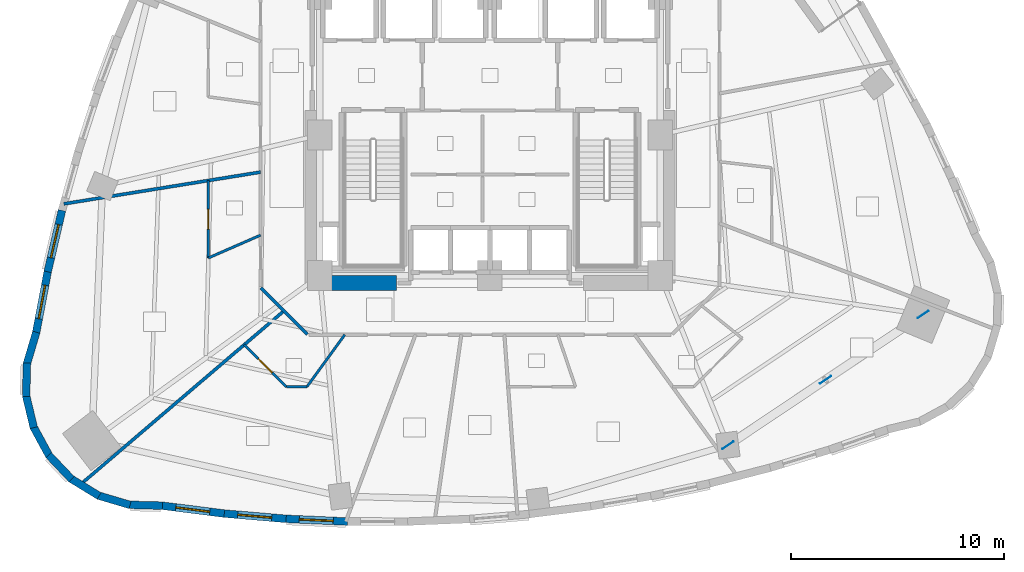
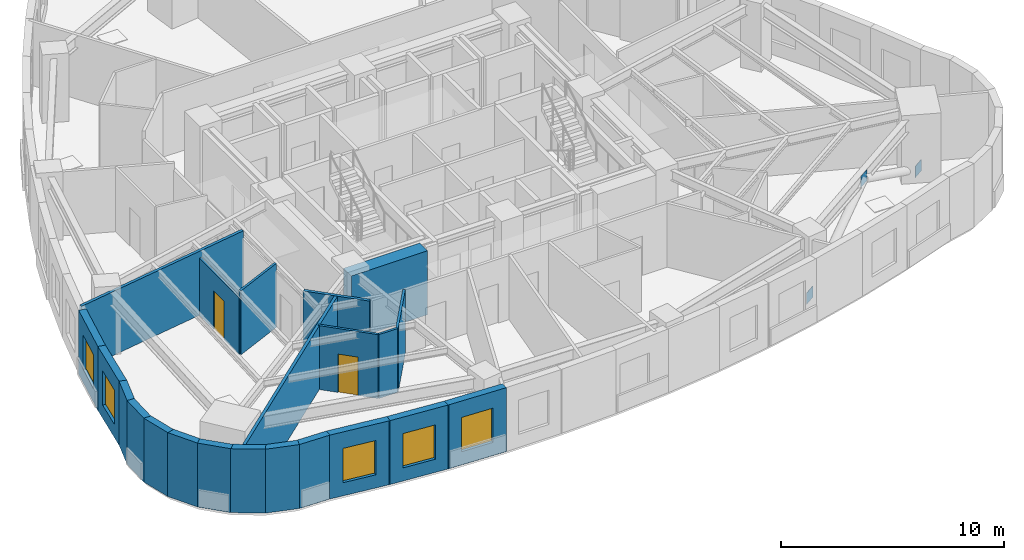
# One storey, part 8 of 15: 22 walls, 5 windows, 3 plates, 2 doors, 7 openings.
"""IFC4 building model written with IfcOpenShell, lengths in metres."""

from ifc_helpers import new_model, si_unit, direction, frame, frame_2d, origin, origin_2d, place, context, subcontext, project, spatial, rectangle, extrude, material, layer, layer_set, type_object, element, fill, save


model = new_model("IFC4")

# Units and contexts
model_context = context("Model", 3, precision=1e-05, world=origin(), true_north=direction((0.0, 1.0)))
body_context = subcontext(model_context, "Body", "Model", "MODEL_VIEW")
ifc_project = project(units=[si_unit("LENGTHUNIT", "METRE"), si_unit("AREAUNIT", "SQUARE_METRE"), si_unit("VOLUMEUNIT", "CUBIC_METRE"), si_unit("PLANEANGLEUNIT", "RADIAN"), si_unit("MASSUNIT", "GRAM", prefix="KILO")], contexts=[model_context])

# Site, building, storey
site_placement = place(None, origin())
site = spatial("IfcSite", under=ifc_project, at=site_placement, CompositionType="ELEMENT")
building_placement = place(site_placement, origin())
building = spatial("IfcBuilding", under=site, at=building_placement, Name="Ndelora Gate Hotel", CompositionType="ELEMENT")
storey_placement = place(building_placement, frame((0.0, 0.0, 56.75)))
storey = spatial("IfcBuildingStorey", under=building, at=storey_placement, Name="L13", CompositionType="ELEMENT", Elevation=56.75)

# Plates
ifc_material_1 = material(Name="Steel S355", Category="steel")
ifc_layer_1 = layer(ifc_material_1, 0.02001953125)
ifc_layer_set_1 = layer_set([ifc_layer_1], Name="Steel S355")
plate_type = type_object("IfcPlateType", Name="PL-NODE-VN1", PredefinedType="USERDEFINED", material=ifc_layer_set_1)
for number, where, z_axis, x_axis, name in (
    (1, (11.179443359375, -14.5693359375, -0.2900390625), (0.0, 0.0, 1.0), (0.830984469274, 0.5562956155, 0.0), "Node gusset cap plate VN1"),
    (2, (20.35009765625, -8.42919921875, -0.2900390625), (0.0, 0.0, 1.0), (0.830984469274, 0.5562956155, 0.0), "Node gusset cap plate VN1"),
    (3, (15.764892578125, -11.499267578125, 2.639892578125), (0.0, 0.0, 1.0), (0.830984469274, 0.5562956155, 0.0), "Node gusset cap plate VN1"),
):
    element("IfcPlate", number, at=place(storey_placement, frame(where, z_axis=z_axis, x_axis=x_axis)), inside=storey, type_object=plate_type, Name=name, ObjectType="GUSSET_PLATE", PredefinedType="USERDEFINED", context=body_context, shape_type="SweptSolid", body=[
        extrude(rectangle(XDim=0.6201171875, YDim=0.02001953125, at=origin_2d()), origin(), (0.0, 0.0, 1.0), 0.6201171875),
    ])

# Wall, opening, window
ifc_material_2 = material(Name="Clay Brick Masonry", Category="masonry")
ifc_layer_2 = layer(ifc_material_2, 0.360107421875)
ifc_layer_set_2 = layer_set([ifc_layer_2], Name="Clay Brick Masonry")
wall_type_1 = type_object("IfcWallType", Name="WL-BRICK-360", PredefinedType="SOLIDWALL", material=ifc_layer_set_2)
wall_1_placement = place(storey_placement, frame((-20.780517578125, -6.422607421875, 0.0), z_axis=(0.0, 0.0, 1.0), x_axis=(0.226888180994, 0.97392081471, 0.0)))
wall_1 = element("IfcWall", 4, at=wall_1_placement, inside=storey, type_object=wall_type_1, Name="L13 Tower Brick Pier-and-Spandrel Wall TWR-19", PredefinedType="SOLIDWALL", context=body_context, shape_type="SweptSolid", body=[
    extrude(rectangle(XDim=2.961181640625, YDim=0.360107421875, at=frame_2d((1.48046875, 0.0))), origin(), (0.0, 0.0, 1.0), 3.5),
])
opening_1_placement = place(wall_1_placement, frame((0.6806640625, 0.0, 0.719970703125)))
opening_1 = element("IfcOpeningElement", 5, at=opening_1_placement, cuts=wall_1, Name="Opening W01", PredefinedType="OPENING", context=body_context, shape_type="SweptSolid", body=[
    extrude(rectangle(XDim=1.60009765625, YDim=1.8798828125, at=frame_2d((0.800048828125, 0.93994140625))), frame((0.0, 0.18994140625, 0.0), z_axis=(0.0, -1.0, 0.0), x_axis=(1.0, 0.0, 0.0)), (0.0, 0.0, 1.0), 0.380126953125),
])
ifc_material_3 = material(Name="Insulated Low-E Double Glazing in Bronze Aluminium Frame", Category="aluminium")
window_type_1 = type_object("IfcWindowType", Name="WN-DEEP-1600", PartitioningType="SINGLE_PANEL", PredefinedType="WINDOW", material=ifc_material_3)
window_1_placement = place(opening_1_placement, origin())
window_1 = element("IfcWindow", 6, at=window_1_placement, inside=storey, type_object=window_type_1, Name="L13 Deep-Set Brick-Pier Window W01", OverallHeight=1.8798828125, OverallWidth=1.60009765625, PartitioningType="SINGLE_PANEL", PredefinedType="WINDOW", context=body_context, shape_type="SweptSolid", body=[
    extrude(rectangle(XDim=1.60009765625, YDim=1.8798828125, at=frame_2d((0.800048828125, 0.93994140625))), frame((0.0, 0.030029296875, 0.0), z_axis=(0.0, -1.0, 0.0), x_axis=(1.0, 0.0, 0.0)), (0.0, 0.0, 1.0), 0.06005859375),
])
fill(opening_1, window_1)

wall_2_placement = place(storey_placement, frame((-21.328125, -9.308349609375, 0.0), z_axis=(0.0, 0.0, 1.0), x_axis=(0.186834183521, 0.982391463658, 0.0)))
wall_2 = element("IfcWall", 7, at=wall_2_placement, inside=storey, type_object=wall_type_1, Name="L13 Tower Brick Pier-and-Spandrel Wall TWR-20", PredefinedType="SOLIDWALL", context=body_context, shape_type="SweptSolid", body=[
    extrude(rectangle(XDim=2.987060546875, YDim=0.360107421875, at=frame_2d((1.49365234375, 0.0))), origin(), (0.0, 0.0, 1.0), 3.5),
])
opening_2_placement = place(wall_2_placement, frame((0.693603515625, 0.0, 0.719970703125)))
opening_2 = element("IfcOpeningElement", 8, at=opening_2_placement, cuts=wall_2, Name="Opening W01", PredefinedType="OPENING", context=body_context, shape_type="SweptSolid", body=[
    extrude(rectangle(XDim=1.60009765625, YDim=1.8798828125, at=frame_2d((0.800048828125, 0.93994140625))), frame((0.0, 0.18994140625, 0.0), z_axis=(0.0, -1.0, 0.0), x_axis=(1.0, 0.0, 0.0)), (0.0, 0.0, 1.0), 0.380126953125),
])
window_2_placement = place(opening_2_placement, origin())
window_2 = element("IfcWindow", 9, at=window_2_placement, inside=storey, type_object=window_type_1, Name="L13 Deep-Set Brick-Pier Window W01", OverallHeight=1.8798828125, OverallWidth=1.60009765625, PartitioningType="SINGLE_PANEL", PredefinedType="WINDOW", context=body_context, shape_type="SweptSolid", body=[
    extrude(rectangle(XDim=1.60009765625, YDim=1.8798828125, at=frame_2d((0.800048828125, 0.93994140625))), frame((0.0, 0.030029296875, 0.0), z_axis=(0.0, -1.0, 0.0), x_axis=(1.0, 0.0, 0.0)), (0.0, 0.0, 1.0), 0.06005859375),
])
fill(opening_2, window_2)

# Walls
wall_3_placement = place(storey_placement, frame((-21.760498046875, -10.759521484375, 0.0), z_axis=(0.0, 0.0, 1.0), x_axis=(0.283923577164, 0.958846912875, 0.0)))
element("IfcWall", 10, at=wall_3_placement, inside=storey, type_object=wall_type_1, Name="L13 Tower Brick Pier-and-Spandrel Wall TWR-21", PredefinedType="SOLIDWALL", context=body_context, shape_type="SweptSolid", body=[
    extrude(rectangle(XDim=1.564208984375, YDim=0.360107421875, at=frame_2d((0.7822265625, 0.0))), origin(), (0.0, 0.0, 1.0), 3.5),
])
wall_4_placement = place(storey_placement, frame((-21.793701171875, -12.27392578125, 0.0), z_axis=(0.0, 0.0, 1.0), x_axis=(0.026224581645, 0.999656076517, 0.0)))
element("IfcWall", 11, at=wall_4_placement, inside=storey, type_object=wall_type_1, Name="L13 Tower Brick Pier-and-Spandrel Wall TWR-22", PredefinedType="SOLIDWALL", context=body_context, shape_type="SweptSolid", body=[
    extrude(rectangle(XDim=1.56396484375, YDim=0.360107421875, at=frame_2d((0.781982421875, 0.0))), origin(), (0.0, 0.0, 1.0), 3.5),
])
for number, where, z_axis, x_axis, name in (
    (12, (-21.433837890625, -13.74560546875, 0.0), (0.0, 0.0, 1.0), (-0.233343435998, 0.972394385461, 0.0), "L13 Tower Brick Pier-and-Spandrel Wall TWR-23"),
    (13, (-20.705322265625, -15.073974609375, 0.0), (0.0, 0.0, 1.0), (-0.477112528062, 0.878842213123, 0.0), "L13 Tower Brick Pier-and-Spandrel Wall TWR-24"),
):
    element("IfcWall", number, at=place(storey_placement, frame(where, z_axis=z_axis, x_axis=x_axis)), inside=storey, type_object=wall_type_1, Name=name, PredefinedType="SOLIDWALL", context=body_context, shape_type="SweptSolid", body=[
        extrude(rectangle(XDim=1.564208984375, YDim=0.360107421875, at=frame_2d((0.7822265625, 0.0))), origin(), (0.0, 0.0, 1.0), 3.5),
    ])
for number, where, z_axis, x_axis, name in (
    (14, (-19.65771484375, -16.168212890625, 0.0), (0.0, 0.0, 1.0), (-0.688367852729, 0.725361771345, 0.0), "L13 Tower Brick Pier-and-Spandrel Wall TWR-25"),
    (15, (-18.36279296875, -16.954345703125, 0.0), (0.0, 0.0, 1.0), (-0.852648364001, 0.522485183873, 0.0), "L13 Tower Brick Pier-and-Spandrel Wall TWR-26"),
):
    element("IfcWall", number, at=place(storey_placement, frame(where, z_axis=z_axis, x_axis=x_axis)), inside=storey, type_object=wall_type_1, Name=name, PredefinedType="SOLIDWALL", context=body_context, shape_type="SweptSolid", body=[
        extrude(rectangle(XDim=1.56396484375, YDim=0.360107421875, at=frame_2d((0.781982421875, 0.0))), origin(), (0.0, 0.0, 1.0), 3.5),
    ])
for number, where, z_axis, x_axis, name in (
    (16, (-16.908203125, -17.37841796875, 0.0), (0.0, 0.0, 1.0), (-0.958804410816, 0.284067072714, 0.0), "L13 Tower Brick Pier-and-Spandrel Wall TWR-27"),
    (17, (-15.3935546875, -17.41162109375, 0.0), (0.0, 0.0, 1.0), (-0.999656183846, 0.026220490068, 0.0), "L13 Tower Brick Pier-and-Spandrel Wall TWR-28"),
):
    element("IfcWall", number, at=place(storey_placement, frame(where, z_axis=z_axis, x_axis=x_axis)), inside=storey, type_object=wall_type_1, Name=name, PredefinedType="SOLIDWALL", context=body_context, shape_type="SweptSolid", body=[
        extrude(rectangle(XDim=1.564208984375, YDim=0.360107421875, at=frame_2d((0.7822265625, 0.0))), origin(), (0.0, 0.0, 1.0), 3.5),
    ])

# Wall, opening, window
wall_5_placement = place(storey_placement, frame((-12.480224609375, -17.78369140625, 0.0), z_axis=(0.0, 0.0, 1.0), x_axis=(-0.992056250625, 0.125795053943, 0.0)))
wall_5 = element("IfcWall", 18, at=wall_5_placement, inside=storey, type_object=wall_type_1, Name="L13 Tower Brick Pier-and-Spandrel Wall TWR-29", PredefinedType="SOLIDWALL", context=body_context, shape_type="SweptSolid", body=[
    extrude(rectangle(XDim=2.98681640625, YDim=0.360107421875, at=frame_2d((1.493408203125, 0.0))), origin(), (0.0, 0.0, 1.0), 3.5),
])
opening_3_placement = place(wall_5_placement, frame((0.693603515625, 0.0, 0.719970703125)))
opening_3 = element("IfcOpeningElement", 19, at=opening_3_placement, cuts=wall_5, Name="Opening W03", PredefinedType="OPENING", context=body_context, shape_type="SweptSolid", body=[
    extrude(rectangle(XDim=1.60009765625, YDim=1.8798828125, at=frame_2d((0.800048828125, 0.93994140625))), frame((0.0, 0.18994140625, 0.0), z_axis=(0.0, -1.0, 0.0), x_axis=(1.0, 0.0, 0.0)), (0.0, 0.0, 1.0), 0.380126953125),
])
window_type_2 = type_object("IfcWindowType", Name="WN-CORN-2100", PartitioningType="SINGLE_PANEL", PredefinedType="WINDOW", material=ifc_material_3)
window_3_placement = place(opening_3_placement, origin())
window_3 = element("IfcWindow", 20, at=window_3_placement, inside=storey, type_object=window_type_2, Name="L13 Deep-Set Brick-Pier Window W03", OverallHeight=1.8798828125, OverallWidth=1.60009765625, PartitioningType="SINGLE_PANEL", PredefinedType="WINDOW", context=body_context, shape_type="SweptSolid", body=[
    extrude(rectangle(XDim=1.60009765625, YDim=1.8798828125, at=frame_2d((0.800048828125, 0.93994140625))), frame((0.0, 0.030029296875, 0.0), z_axis=(0.0, -1.0, 0.0), x_axis=(1.0, 0.0, 0.0)), (0.0, 0.0, 1.0), 0.06005859375),
])
fill(opening_3, window_3)

wall_6_placement = place(storey_placement, frame((-9.579345703125, -18.031005859375, 0.0), z_axis=(0.0, 0.0, 1.0), x_axis=(-0.996359665783, 0.085249143105, 0.0)))
wall_6 = element("IfcWall", 21, at=wall_6_placement, inside=storey, type_object=wall_type_1, Name="L13 Tower Brick Pier-and-Spandrel Wall TWR-30", PredefinedType="SOLIDWALL", context=body_context, shape_type="SweptSolid", body=[
    extrude(rectangle(XDim=2.961181640625, YDim=0.360107421875, at=frame_2d((1.48046875, 0.0))), origin(), (0.0, 0.0, 1.0), 3.5),
])
opening_4_placement = place(wall_6_placement, frame((0.6806640625, 0.0, 0.719970703125)))
opening_4 = element("IfcOpeningElement", 22, at=opening_4_placement, cuts=wall_6, Name="Opening W01", PredefinedType="OPENING", context=body_context, shape_type="SweptSolid", body=[
    extrude(rectangle(XDim=1.60009765625, YDim=1.8798828125, at=frame_2d((0.800048828125, 0.93994140625))), frame((0.0, 0.18994140625, 0.0), z_axis=(0.0, -1.0, 0.0), x_axis=(1.0, 0.0, 0.0)), (0.0, 0.0, 1.0), 0.380126953125),
])
window_4_placement = place(opening_4_placement, origin())
window_4 = element("IfcWindow", 23, at=window_4_placement, inside=storey, type_object=window_type_1, Name="L13 Deep-Set Brick-Pier Window W01", OverallHeight=1.8798828125, OverallWidth=1.60009765625, PartitioningType="SINGLE_PANEL", PredefinedType="WINDOW", context=body_context, shape_type="SweptSolid", body=[
    extrude(rectangle(XDim=1.60009765625, YDim=1.8798828125, at=frame_2d((0.800048828125, 0.93994140625))), frame((0.0, 0.030029296875, 0.0), z_axis=(0.0, -1.0, 0.0), x_axis=(1.0, 0.0, 0.0)), (0.0, 0.0, 1.0), 0.06005859375),
])
fill(opening_4, window_4)

wall_7_placement = place(storey_placement, frame((-6.691162109375, -18.156494140625, 0.0), z_axis=(0.0, 0.0, 1.0), x_axis=(-0.999038849602, 0.043833514425, 0.0)))
wall_7 = element("IfcWall", 24, at=wall_7_placement, inside=storey, type_object=wall_type_1, Name="L13 Tower Brick Pier-and-Spandrel Wall TWR-31", PredefinedType="SOLIDWALL", context=body_context, shape_type="SweptSolid", body=[
    extrude(rectangle(XDim=2.94091796875, YDim=0.360107421875, at=frame_2d((1.470458984375, 0.0))), origin(), (0.0, 0.0, 1.0), 3.5),
])
opening_5_placement = place(wall_7_placement, frame((0.67041015625, 0.0, 0.719970703125)))
opening_5 = element("IfcOpeningElement", 25, at=opening_5_placement, cuts=wall_7, Name="Opening W01", PredefinedType="OPENING", context=body_context, shape_type="SweptSolid", body=[
    extrude(rectangle(XDim=1.60009765625, YDim=1.8798828125, at=frame_2d((0.800048828125, 0.93994140625))), frame((0.0, 0.18994140625, 0.0), z_axis=(0.0, -1.0, 0.0), x_axis=(1.0, 0.0, 0.0)), (0.0, 0.0, 1.0), 0.380126953125),
])
window_5_placement = place(opening_5_placement, origin())
window_5 = element("IfcWindow", 26, at=window_5_placement, inside=storey, type_object=window_type_1, Name="L13 Deep-Set Brick-Pier Window W01", OverallHeight=1.8798828125, OverallWidth=1.60009765625, PartitioningType="SINGLE_PANEL", PredefinedType="WINDOW", context=body_context, shape_type="SweptSolid", body=[
    extrude(rectangle(XDim=1.60009765625, YDim=1.8798828125, at=frame_2d((0.800048828125, 0.93994140625))), frame((0.0, 0.030029296875, 0.0), z_axis=(0.0, -1.0, 0.0), x_axis=(1.0, 0.0, 0.0)), (0.0, 0.0, 1.0), 0.06005859375),
])
fill(opening_5, window_5)

# Walls
ifc_material_4 = material(Name="Concrete C60/75", Category="concrete")
ifc_layer_3 = layer(ifc_material_4, 0.699951171875)
ifc_layer_set_3 = layer_set([ifc_layer_3], Name="Concrete C60/75")
wall_type_2 = type_object("IfcWallType", Name="WL-CORE-700", PredefinedType="SHEAR", material=ifc_layer_set_3)
wall_8_placement = place(storey_placement, frame((-8.35009765625, -6.949951171875, 0.0), z_axis=(0.0, 0.0, 1.0), x_axis=(1.0, 0.0, 0.0)))
element("IfcWall", 27, at=wall_8_placement, inside=storey, type_object=wall_type_2, Name="L13 Core Shear Wall S-W", PredefinedType="SHEAR", context=body_context, shape_type="SweptSolid", body=[
    extrude(rectangle(XDim=3.9501953125, YDim=0.699951171875, at=frame_2d((1.97509765625, 0.0))), origin(), (0.0, 0.0, 1.0), 3.5),
])
ifc_material_5 = material(Name="Fire-Rated Gypsum Stud Partition", Category="gypsum")
ifc_layer_4 = layer(ifc_material_5, 0.14990234375)
ifc_layer_set_4 = layer_set([ifc_layer_4], Name="Fire-Rated Gypsum Stud Partition")
wall_type_3 = type_object("IfcWallType", Name="WL-PART-150", PredefinedType="PARTITIONING", material=ifc_layer_set_4)
wall_9_placement = place(storey_placement, frame((-8.578369140625, -9.351806640625, 0.0), z_axis=(0.0, 0.0, 1.0), x_axis=(-0.707067066127, 0.707146494016, 0.0)))
element("IfcWall", 28, at=wall_9_placement, inside=storey, type_object=wall_type_3, Name="L13 Interior Wall IW-5", PredefinedType="PARTITIONING", context=body_context, shape_type="SweptSolid", body=[
    extrude(rectangle(XDim=3.07373046875, YDim=0.14990234375, at=frame_2d((1.536865234375, 0.0))), origin(), (0.0, 0.0, 1.0), 3.5),
])
wall_10_placement = place(storey_placement, frame((-10.780029296875, -1.73974609375, 0.0), z_axis=(0.0, 0.0, 1.0), x_axis=(-0.987228687092, -0.159309508134, 0.0)))
element("IfcWall", 29, at=wall_10_placement, inside=storey, type_object=wall_type_3, Name="L13 Interior Wall IW-5", PredefinedType="PARTITIONING", context=body_context, shape_type="SweptSolid", body=[
    extrude(rectangle(XDim=9.362060546875, YDim=0.14990234375, at=frame_2d((4.68115234375, 0.0))), origin(), (0.0, 0.0, 1.0), 3.5),
])
wall_11_placement = place(storey_placement, frame((-9.675048828125, -8.2548828125, 0.0), z_axis=(0.0, 0.0, 1.0), x_axis=(-0.760712977927, -0.649088410937, 0.0)))
element("IfcWall", 30, at=wall_11_placement, inside=storey, type_object=wall_type_3, Name="L13 Interior Wall IW-5", PredefinedType="PARTITIONING", context=body_context, shape_type="SweptSolid", body=[
    extrude(rectangle(XDim=12.573974609375, YDim=0.14990234375, at=frame_2d((6.287109375, 0.0))), origin(), (0.0, 0.0, 1.0), 3.5),
])
ifc_material_6 = material(Name="Moisture-Resistant Bathroom Tile Partition", Category="gypsum")
ifc_layer_5 = layer(ifc_material_6, 0.1201171875)
ifc_layer_set_5 = layer_set([ifc_layer_5], Name="Moisture-Resistant Bathroom Tile Partition")
wall_type_4 = type_object("IfcWallType", Name="WL-WET-120", PredefinedType="PARTITIONING", material=ifc_layer_set_5)
wall_12_placement = place(storey_placement, frame((-10.780029296875, -4.702392578125, 0.0), z_axis=(0.0, 0.0, 1.0), x_axis=(-0.916569813028, -0.399874702684, 0.0)))
element("IfcWall", 31, at=wall_12_placement, inside=storey, type_object=wall_type_4, Name="L13 Interior Wall IW-7", PredefinedType="PARTITIONING", context=body_context, shape_type="SweptSolid", body=[
    extrude(rectangle(XDim=2.6728515625, YDim=0.1201171875, at=frame_2d((1.33642578125, 0.0))), origin(), (0.0, 0.0, 1.0), 3.5),
])

# Wall, opening, door
wall_13_placement = place(storey_placement, frame((-13.22998046875, -5.771240234375, 0.0), z_axis=(0.0, 0.0, 1.0), x_axis=(0.0, 1.0, 0.0)))
wall_13 = element("IfcWall", 32, at=wall_13_placement, inside=storey, type_object=wall_type_4, Name="L13 Interior Wall IW-7", PredefinedType="PARTITIONING", context=body_context, shape_type="SweptSolid", body=[
    extrude(rectangle(XDim=3.63623046875, YDim=0.1201171875, at=frame_2d((1.818115234375, 0.0))), origin(), (0.0, 0.0, 1.0), 3.1201171875),
])
opening_6_placement = place(wall_13_placement, frame((1.358154296875, 0.0, 0.0)))
opening_6 = element("IfcOpeningElement", 33, at=opening_6_placement, cuts=wall_13, Name="Opening D03", PredefinedType="OPENING", context=body_context, shape_type="SweptSolid", body=[
    extrude(rectangle(XDim=0.919921875, YDim=2.10009765625, at=frame_2d((0.4599609375, 1.050048828125))), frame((0.0, 0.070068359375, 0.0), z_axis=(0.0, -1.0, 0.0), x_axis=(1.0, 0.0, 0.0)), (0.0, 0.0, 1.0), 0.14013671875),
])
ifc_material_7 = material(Name="Moisture-Resistant Hardwood En-Suite Door", Category="wood")
door_type = type_object("IfcDoorType", Name="DR-BATH-920", OperationType="SINGLE_SWING_LEFT", PredefinedType="DOOR", material=ifc_material_7)
door_1_placement = place(opening_6_placement, origin())
door_1 = element("IfcDoor", 34, at=door_1_placement, inside=storey, type_object=door_type, Name="L13 En-suite Bathroom 1606 Door", OperationType="SINGLE_SWING_LEFT", OverallHeight=2.10009765625, OverallWidth=0.919921875, PredefinedType="DOOR", context=body_context, shape_type="SweptSolid", body=[
    extrude(rectangle(XDim=0.919921875, YDim=2.10009765625, at=frame_2d((0.4599609375, 1.050048828125))), frame((0.0, 0.02490234375, 0.0), z_axis=(0.0, -1.0, 0.0), x_axis=(1.0, 0.0, 0.0)), (0.0, 0.0, 1.0), 0.050048828125),
])
fill(opening_6, door_1)

# Walls
wall_14_placement = place(storey_placement, frame((-8.603759765625, -11.830078125, 0.0), z_axis=(0.0, 0.0, 1.0), x_axis=(0.58812378006, 0.808770931307, 0.0)))
element("IfcWall", 35, at=wall_14_placement, inside=storey, type_object=wall_type_4, Name="L13 Interior Wall IW-7", PredefinedType="PARTITIONING", context=body_context, shape_type="SweptSolid", body=[
    extrude(rectangle(XDim=3.029541015625, YDim=0.1201171875, at=frame_2d((1.5146484375, 0.0))), origin(), (0.0, 0.0, 1.0), 3.5),
])
wall_15_placement = place(storey_placement, frame((-8.603759765625, -11.830078125, 0.0), z_axis=(0.0, 0.0, 1.0), x_axis=(-1.0, 0.0, 0.0)))
element("IfcWall", 36, at=wall_15_placement, inside=storey, type_object=wall_type_4, Name="L13 Interior Wall IW-7", PredefinedType="PARTITIONING", context=body_context, shape_type="SweptSolid", body=[
    extrude(rectangle(XDim=0.9609375, YDim=0.1201171875, at=frame_2d((0.48046875, 0.0))), origin(), (0.0, 0.0, 1.0), 3.5),
])

# Wall, opening, door
wall_16_placement = place(storey_placement, frame((-9.564697265625, -11.830078125, 0.0), z_axis=(0.0, 0.0, 1.0), x_axis=(-0.707150377276, 0.707063182409, 0.0)))
wall_16 = element("IfcWall", 37, at=wall_16_placement, inside=storey, type_object=wall_type_4, Name="L13 Interior Wall IW-7", PredefinedType="PARTITIONING", context=body_context, shape_type="SweptSolid", body=[
    extrude(rectangle(XDim=2.800048828125, YDim=0.1201171875, at=frame_2d((1.39990234375, 0.0))), origin(), (0.0, 0.0, 1.0), 3.5),
])
opening_7_placement = place(wall_16_placement, frame((0.93994140625, 0.0, 0.0)))
opening_7 = element("IfcOpeningElement", 38, at=opening_7_placement, cuts=wall_16, Name="Opening D03", PredefinedType="OPENING", context=body_context, shape_type="SweptSolid", body=[
    extrude(rectangle(XDim=0.919921875, YDim=2.10009765625, at=frame_2d((0.4599609375, 1.050048828125))), frame((0.0, 0.070068359375, 0.0), z_axis=(0.0, -1.0, 0.0), x_axis=(1.0, 0.0, 0.0)), (0.0, 0.0, 1.0), 0.14013671875),
])
door_2_placement = place(opening_7_placement, origin())
door_2 = element("IfcDoor", 39, at=door_2_placement, inside=storey, type_object=door_type, Name="L13 En-suite Bathroom 1607 Door", OperationType="SINGLE_SWING_RIGHT", OverallHeight=2.10009765625, OverallWidth=0.919921875, PredefinedType="DOOR", context=body_context, shape_type="SweptSolid", body=[
    extrude(rectangle(XDim=0.919921875, YDim=2.10009765625, at=frame_2d((0.4599609375, 1.050048828125))), frame((0.0, 0.02490234375, 0.0), z_axis=(0.0, -1.0, 0.0), x_axis=(1.0, 0.0, 0.0)), (0.0, 0.0, 1.0), 0.050048828125),
])
fill(opening_7, door_2)

save(model, "model.ifc")
